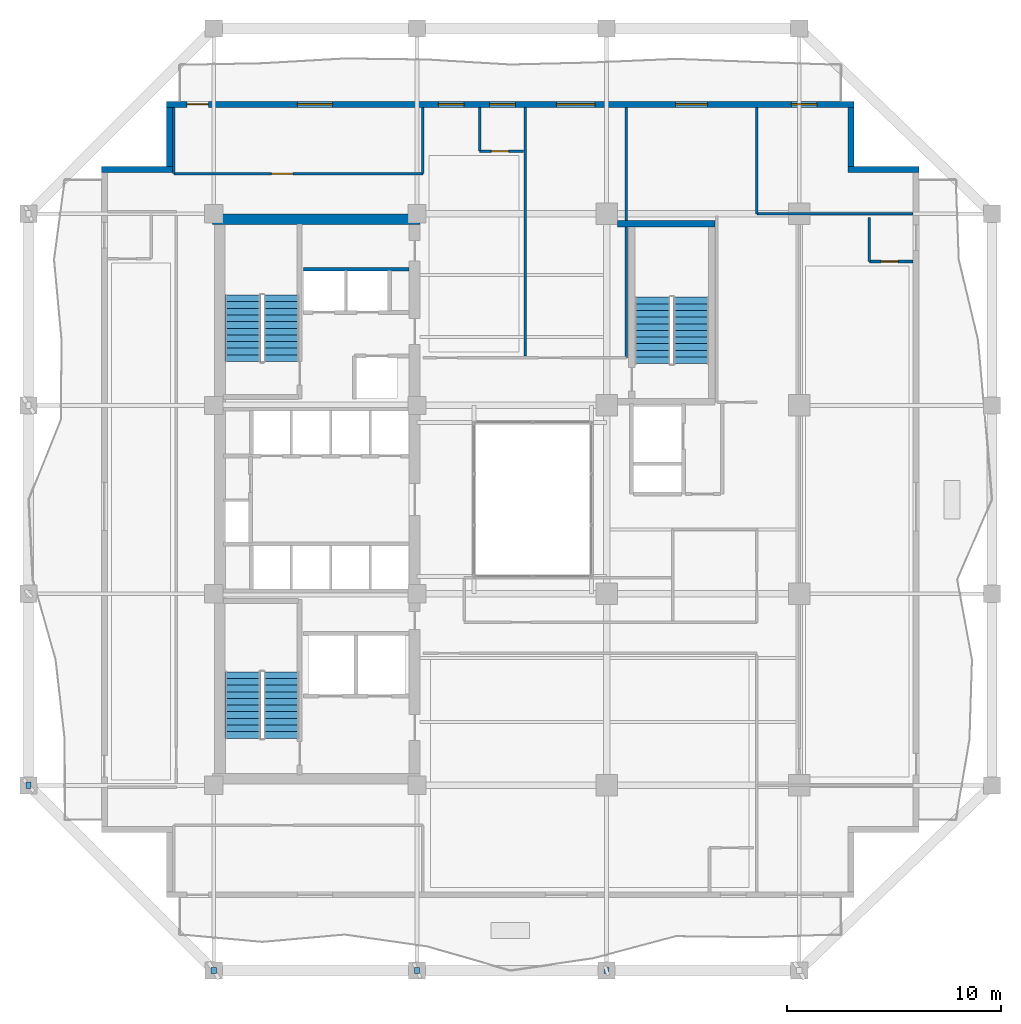
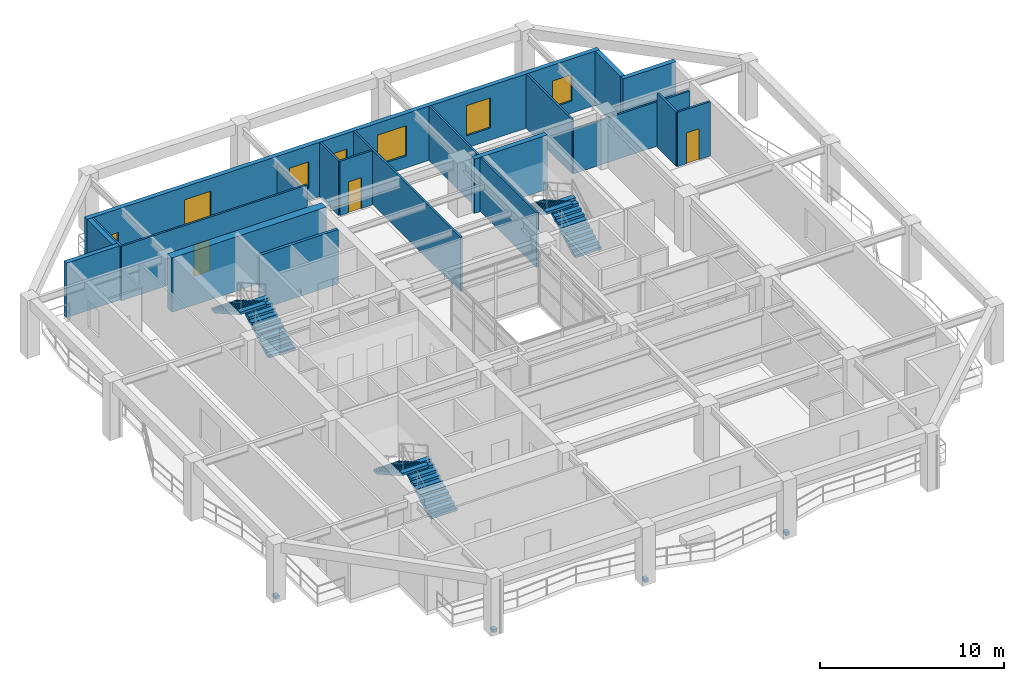
# One storey, part 9 of 14: 19 walls, 6 stair flights, 6 windows, 4 discrete accessories, 4 doors, 10 openings, 3 elements without a shape of their own.
"""IFC4 building model written with IfcOpenShell, lengths in metres."""

from ifc_helpers import new_model, si_unit, direction, frame, frame_2d, origin, origin_2d, place, context, subcontext, project, spatial, polyline, rectangle, outline, extrude, material, layer, layer_set, type_object, element, fill, aggregate, save


model = new_model("IFC4")

# Units and contexts
model_context = context("Model", 3, precision=1e-05, world=origin(), true_north=direction((0.0, 1.0)))
body_context = subcontext(model_context, "Body", "Model", "MODEL_VIEW")
ifc_project = project(units=[si_unit("LENGTHUNIT", "METRE"), si_unit("AREAUNIT", "SQUARE_METRE"), si_unit("VOLUMEUNIT", "CUBIC_METRE"), si_unit("PLANEANGLEUNIT", "RADIAN"), si_unit("MASSUNIT", "GRAM", prefix="KILO")], contexts=[model_context])

# Site, building, storey
site_placement = place(None, origin())
site = spatial("IfcSite", under=ifc_project, at=site_placement, CompositionType="ELEMENT")
building_placement = place(site_placement, origin())
building = spatial("IfcBuilding", under=site, at=building_placement, Name="Kundavana Baori Tower", CompositionType="ELEMENT")
storey_placement = place(building_placement, frame((0.0, 0.0, 104.0)))
storey = spatial("IfcBuildingStorey", under=building, at=storey_placement, Name="L24", CompositionType="ELEMENT", Elevation=104.0)

# Walls
ifc_material_1 = material(Name="Concrete C50/60", Category="concrete")
ifc_layer_1 = layer(ifc_material_1, 0.5, Name="WL-CORE-500")
ifc_layer_set_1 = layer_set([ifc_layer_1], Name="Concrete C50/60")
wall_type_1 = type_object("IfcWallType", Name="WL-CORE-500", PredefinedType="SHEAR", material=ifc_layer_set_1)
wall_1_placement = place(storey_placement, frame((15.39990234375, 41.68994140625, 0.0), z_axis=(0.0, 0.0, 1.0), x_axis=(1.0, 0.0, 0.0)))
element("IfcWall", 1, at=wall_1_placement, inside=storey, type_object=wall_type_1, Name="L24 Offset Core North Shear Wall", PredefinedType="SHEAR", context=body_context, shape_type="SweptSolid", body=[
    extrude(rectangle(XDim=9.68017578125, YDim=0.5, at=frame_2d((4.840087890625, 0.0))), origin(), (0.0, 0.0, 1.0), 3.60009765625),
])
ifc_material_2 = material(Name="Red-Buff Dholpur Sandstone Cladding on Concrete C40/50", Category="masonry")
ifc_layer_2 = layer(ifc_material_2, 0.280029296875, Name="WL-EXT-SAND-280")
ifc_layer_set_2 = layer_set([ifc_layer_2], Name="Red-Buff Dholpur Sandstone Cladding on Concrete C40/50")
wall_type_2 = type_object("IfcWallType", Name="WL-EXT-SAND-280", PredefinedType="STANDARD", material=ifc_layer_set_2)
wall_2_placement = place(storey_placement, frame((48.39990234375, 44.010009765625, 0.0), z_axis=(0.0, 0.0, 1.0), x_axis=(-1.0, 0.0, 0.0)))
element("IfcWall", 2, at=wall_2_placement, inside=storey, type_object=wall_type_2, Name="L24 Exterior Insulated Facade Wall 05", PredefinedType="STANDARD", context=body_context, shape_type="SweptSolid", body=[
    extrude(rectangle(XDim=3.329833984375, YDim=0.280029296875, at=frame_2d((1.6650390625, 0.0))), origin(), (0.0, 0.0, 1.0), 3.60009765625),
])
wall_3_placement = place(storey_placement, frame((45.2099609375, 44.14990234375, 0.0), z_axis=(0.0, 0.0, 1.0), x_axis=(0.0, 1.0, 0.0)))
element("IfcWall", 3, at=wall_3_placement, inside=storey, type_object=wall_type_2, Name="L24 Exterior Insulated Facade Wall 06", PredefinedType="STANDARD", context=body_context, shape_type="SweptSolid", body=[
    extrude(rectangle(XDim=2.77001953125, YDim=0.280029296875, at=frame_2d((1.385009765625, 0.0))), origin(), (0.0, 0.0, 1.0), 3.60009765625),
])

# Wall, openings, door, windows
wall_4_placement = place(storey_placement, frame((45.35009765625, 47.06005859375, 0.0), z_axis=(0.0, 0.0, 1.0), x_axis=(-1.0, 0.0, 0.0)))
wall_4 = element("IfcWall", 4, at=wall_4_placement, inside=storey, type_object=wall_type_2, Name="L24 Exterior Insulated Facade Wall 07", PredefinedType="STANDARD", context=body_context, shape_type="SweptSolid", body=[
    extrude(rectangle(XDim=32.10009765625, YDim=0.280029296875, at=frame_2d((16.050048828125, 0.0))), origin(), (0.0, 0.0, 1.0), 3.60009765625),
])
opening_1_placement = place(wall_4_placement, frame((30.14990234375, 0.0, 0.0)))
opening_1 = element("IfcOpeningElement", 5, at=opening_1_placement, cuts=wall_4, Name="Opening BD-1", PredefinedType="OPENING", context=body_context, shape_type="SweptSolid", body=[
    extrude(rectangle(XDim=1.0, YDim=2.050048828125, at=frame_2d((0.5, 1.02490234375))), frame((0.0, 0.14990234375, 0.0), z_axis=(0.0, -1.0, 0.0), x_axis=(1.0, 0.0, 0.0)), (0.0, 0.0, 1.0), 0.300048828125),
])
opening_2_placement = place(wall_4_placement, frame((24.344970703125, 0.0, 0.800048828125)))
opening_2 = element("IfcOpeningElement", 6, at=opening_2_placement, cuts=wall_4, Name="Opening W-08", PredefinedType="OPENING", context=body_context, shape_type="SweptSolid", body=[
    extrude(rectangle(XDim=1.64990234375, YDim=1.949951171875, at=frame_2d((0.824951171875, 0.97509765625))), frame((0.0, 0.14990234375, 0.0), z_axis=(0.0, -1.0, 0.0), x_axis=(1.0, 0.0, 0.0)), (0.0, 0.0, 1.0), 0.300048828125),
])
opening_3_placement = place(wall_4_placement, frame((18.205078125, 0.0, 0.800048828125)))
opening_3 = element("IfcOpeningElement", 7, at=opening_3_placement, cuts=wall_4, Name="Opening W-03", PredefinedType="OPENING", context=body_context, shape_type="SweptSolid", body=[
    extrude(rectangle(XDim=1.199951171875, YDim=1.75, at=frame_2d((0.60009765625, 0.875))), frame((0.0, 0.14990234375, 0.0), z_axis=(0.0, -1.0, 0.0), x_axis=(1.0, 0.0, 0.0)), (0.0, 0.0, 1.0), 0.300048828125),
])
opening_4_placement = place(wall_4_placement, frame((15.81494140625, 0.0, 0.800048828125)))
opening_4 = element("IfcOpeningElement", 8, at=opening_4_placement, cuts=wall_4, Name="Opening W-03", PredefinedType="OPENING", context=body_context, shape_type="SweptSolid", body=[
    extrude(rectangle(XDim=1.199951171875, YDim=1.75, at=frame_2d((0.60009765625, 0.875))), frame((0.0, 0.14990234375, 0.0), z_axis=(0.0, -1.0, 0.0), x_axis=(1.0, 0.0, 0.0)), (0.0, 0.0, 1.0), 0.300048828125),
])
opening_5_placement = place(wall_4_placement, frame((12.090087890625, 0.0, 0.800048828125)))
opening_5 = element("IfcOpeningElement", 9, at=opening_5_placement, cuts=wall_4, Name="Opening W-01", PredefinedType="OPENING", context=body_context, shape_type="SweptSolid", body=[
    extrude(rectangle(XDim=1.800048828125, YDim=2.0, at=frame_2d((0.89990234375, 1.0))), frame((0.0, 0.14990234375, 0.0), z_axis=(0.0, -1.0, 0.0), x_axis=(1.0, 0.0, 0.0)), (0.0, 0.0, 1.0), 0.300048828125),
])
opening_6_placement = place(wall_4_placement, frame((6.830078125, 0.0, 0.800048828125)))
opening_6 = element("IfcOpeningElement", 10, at=opening_6_placement, cuts=wall_4, Name="Opening W-02", PredefinedType="OPENING", context=body_context, shape_type="SweptSolid", body=[
    extrude(rectangle(XDim=1.5, YDim=2.0, at=frame_2d((0.75, 1.0))), frame((0.0, 0.14990234375, 0.0), z_axis=(0.0, -1.0, 0.0), x_axis=(1.0, 0.0, 0.0)), (0.0, 0.0, 1.0), 0.300048828125),
])
opening_7_placement = place(wall_4_placement, frame((1.719970703125, 0.0, 0.800048828125)))
opening_7 = element("IfcOpeningElement", 11, at=opening_7_placement, cuts=wall_4, Name="Opening W-03", PredefinedType="OPENING", context=body_context, shape_type="SweptSolid", body=[
    extrude(rectangle(XDim=1.199951171875, YDim=1.75, at=frame_2d((0.60009765625, 0.875))), frame((0.0, 0.14990234375, 0.0), z_axis=(0.0, -1.0, 0.0), x_axis=(1.0, 0.0, 0.0)), (0.0, 0.0, 1.0), 0.300048828125),
])
ifc_material_3 = material(Name="Architectural Patinated Bronze Metalwork")
door_type_1 = type_object("IfcDoorType", Name="DR-EXT-LOG-1000", OperationType="NOTDEFINED", PredefinedType="DOOR", material=ifc_material_3)
door_1_placement = place(opening_1_placement, frame((1.0, 0.0, 0.0), z_axis=(0.0, 0.0, 1.0), x_axis=(-1.0, 0.0, 0.0)))
door_1 = element("IfcDoor", 12, at=door_1_placement, inside=storey, type_object=door_type_1, Name="L24 Loggia Balcony Access Door N", OperationType="SINGLE_SWING_LEFT", OverallHeight=2.050048828125, OverallWidth=1.0, PredefinedType="DOOR", context=body_context, shape_type="SweptSolid", body=[
    extrude(rectangle(XDim=1.0, YDim=2.050048828125, at=frame_2d((0.5, 1.02490234375))), frame((0.0, 0.02490234375, 0.0), z_axis=(0.0, -1.0, 0.0), x_axis=(1.0, 0.0, 0.0)), (0.0, 0.0, 1.0), 0.050048828125),
])
fill(opening_1, door_1)
ifc_material_4 = material(Name="Double-Glazed Solar-Control Low-E Insulated Glass", Category="glass")
window_type_1 = type_object("IfcWindowType", Name="WIN-LOG-1200x1750", PartitioningType="SINGLE_PANEL", PredefinedType="WINDOW", material=ifc_material_4)
window_1_placement = place(opening_3_placement, origin())
window_1 = element("IfcWindow", 13, at=window_1_placement, inside=storey, type_object=window_type_1, Name="L24 Recessed Loggia Window N-2", OverallHeight=1.75, OverallWidth=1.199951171875, PartitioningType="SINGLE_PANEL", PredefinedType="WINDOW", context=body_context, shape_type="SweptSolid", body=[
    extrude(rectangle(XDim=1.199951171875, YDim=1.75, at=frame_2d((0.60009765625, 0.875))), frame((0.0, 0.030029296875, 0.0), z_axis=(0.0, -1.0, 0.0), x_axis=(1.0, 0.0, 0.0)), (0.0, 0.0, 1.0), 0.06005859375),
])
fill(opening_3, window_1)
window_2_placement = place(opening_4_placement, origin())
window_2 = element("IfcWindow", 14, at=window_2_placement, inside=storey, type_object=window_type_1, Name="L24 Recessed Loggia Window N-3", OverallHeight=1.75, OverallWidth=1.199951171875, PartitioningType="SINGLE_PANEL", PredefinedType="WINDOW", context=body_context, shape_type="SweptSolid", body=[
    extrude(rectangle(XDim=1.199951171875, YDim=1.75, at=frame_2d((0.60009765625, 0.875))), frame((0.0, 0.030029296875, 0.0), z_axis=(0.0, -1.0, 0.0), x_axis=(1.0, 0.0, 0.0)), (0.0, 0.0, 1.0), 0.06005859375),
])
fill(opening_4, window_2)
window_3_placement = place(opening_7_placement, origin())
window_3 = element("IfcWindow", 15, at=window_3_placement, inside=storey, type_object=window_type_1, Name="L24 Recessed Loggia Window N-6", OverallHeight=1.75, OverallWidth=1.199951171875, PartitioningType="SINGLE_PANEL", PredefinedType="WINDOW", context=body_context, shape_type="SweptSolid", body=[
    extrude(rectangle(XDim=1.199951171875, YDim=1.75, at=frame_2d((0.60009765625, 0.875))), frame((0.0, 0.030029296875, 0.0), z_axis=(0.0, -1.0, 0.0), x_axis=(1.0, 0.0, 0.0)), (0.0, 0.0, 1.0), 0.06005859375),
])
fill(opening_7, window_3)
ifc_material_5 = material(Name="Double-Glazed Solar-Control Low-E Insulated Glass", Category="glass")
window_type_2 = type_object("IfcWindowType", Name="WIN-LOG-1500x2000", PartitioningType="SINGLE_PANEL", PredefinedType="WINDOW", material=ifc_material_5)
window_4_placement = place(opening_6_placement, origin())
window_4 = element("IfcWindow", 16, at=window_4_placement, inside=storey, type_object=window_type_2, Name="L24 Recessed Loggia Window N-5", OverallHeight=2.0, OverallWidth=1.5, PartitioningType="SINGLE_PANEL", PredefinedType="WINDOW", context=body_context, shape_type="SweptSolid", body=[
    extrude(rectangle(XDim=1.5, YDim=2.0, at=frame_2d((0.75, 1.0))), frame((0.0, 0.030029296875, 0.0), z_axis=(0.0, -1.0, 0.0), x_axis=(1.0, 0.0, 0.0)), (0.0, 0.0, 1.0), 0.06005859375),
])
fill(opening_6, window_4)
ifc_material_6 = material(Name="Double-Glazed Solar-Control Low-E Insulated Glass", Category="glass")
window_type_3 = type_object("IfcWindowType", Name="WIN-LOG-1650x1950", PartitioningType="SINGLE_PANEL", PredefinedType="WINDOW", material=ifc_material_6)
window_5_placement = place(opening_2_placement, origin())
window_5 = element("IfcWindow", 17, at=window_5_placement, inside=storey, type_object=window_type_3, Name="L24 Recessed Loggia Window N-1", OverallHeight=1.949951171875, OverallWidth=1.64990234375, PartitioningType="SINGLE_PANEL", PredefinedType="WINDOW", context=body_context, shape_type="SweptSolid", body=[
    extrude(rectangle(XDim=1.64990234375, YDim=1.949951171875, at=frame_2d((0.824951171875, 0.97509765625))), frame((0.0, 0.030029296875, 0.0), z_axis=(0.0, -1.0, 0.0), x_axis=(1.0, 0.0, 0.0)), (0.0, 0.0, 1.0), 0.06005859375),
])
fill(opening_2, window_5)
ifc_material_7 = material(Name="Double-Glazed Solar-Control Low-E Insulated Glass", Category="glass")
window_type_4 = type_object("IfcWindowType", Name="WIN-LOG-1800x2000", PartitioningType="SINGLE_PANEL", PredefinedType="WINDOW", material=ifc_material_7)
window_6_placement = place(opening_5_placement, origin())
window_6 = element("IfcWindow", 18, at=window_6_placement, inside=storey, type_object=window_type_4, Name="L24 Recessed Loggia Window N-4", OverallHeight=2.0, OverallWidth=1.800048828125, PartitioningType="SINGLE_PANEL", PredefinedType="WINDOW", context=body_context, shape_type="SweptSolid", body=[
    extrude(rectangle(XDim=1.800048828125, YDim=2.0, at=frame_2d((0.89990234375, 1.0))), frame((0.0, 0.030029296875, 0.0), z_axis=(0.0, -1.0, 0.0), x_axis=(1.0, 0.0, 0.0)), (0.0, 0.0, 1.0), 0.06005859375),
])
fill(opening_5, window_6)

# Walls
wall_5_placement = place(storey_placement, frame((13.389892578125, 46.919921875, 0.0), z_axis=(0.0, 0.0, 1.0), x_axis=(0.0, -1.0, 0.0)))
element("IfcWall", 19, at=wall_5_placement, inside=storey, type_object=wall_type_2, Name="L24 Exterior Insulated Facade Wall 08", PredefinedType="STANDARD", context=body_context, shape_type="SweptSolid", body=[
    extrude(rectangle(XDim=2.77001953125, YDim=0.280029296875, at=frame_2d((1.385009765625, 0.0))), origin(), (0.0, 0.0, 1.0), 3.60009765625),
])
wall_6_placement = place(storey_placement, frame((13.530029296875, 44.010009765625, 0.0), z_axis=(0.0, 0.0, 1.0), x_axis=(-1.0, 0.0, 0.0)))
element("IfcWall", 20, at=wall_6_placement, inside=storey, type_object=wall_type_2, Name="L24 Exterior Insulated Facade Wall 09", PredefinedType="STANDARD", context=body_context, shape_type="SweptSolid", body=[
    extrude(rectangle(XDim=3.330078125, YDim=0.280029296875, at=frame_2d((1.6650390625, 0.0))), origin(), (0.0, 0.0, 1.0), 3.60009765625),
])
ifc_material_8 = material(Name="Acoustic Gypsum Plasterboard on Galvanised Steel Studs", Category="steel")
ifc_layer_3 = layer(ifc_material_8, 0.1201171875, Name="WL-PART-120")
ifc_layer_set_3 = layer_set([ifc_layer_3], Name="Acoustic Gypsum Plasterboard on Galvanised Steel Studs")
wall_type_3 = type_object("IfcWallType", Name="WL-PART-120", PredefinedType="PARTITIONING", material=ifc_layer_set_3)
wall_7_placement = place(storey_placement, frame((40.820068359375, 41.949951171875, 0.0), z_axis=(0.0, 0.0, 1.0), x_axis=(1.0, 0.0, 0.0)))
element("IfcWall", 21, at=wall_7_placement, inside=storey, type_object=wall_type_3, Name="WL-L24-HEN", PredefinedType="PARTITIONING", context=body_context, shape_type="SweptSolid", body=[
    extrude(rectangle(XDim=7.300048828125, YDim=0.1201171875, at=frame_2d((3.64990234375, 0.0))), origin(), (0.0, 0.0, 1.0), 2.949951171875),
])

# Wall, opening, door
wall_8_placement = place(storey_placement, frame((13.590087890625, 43.820068359375, 0.0), z_axis=(0.0, 0.0, 1.0), x_axis=(1.0, 0.0, 0.0)))
wall_8 = element("IfcWall", 22, at=wall_8_placement, inside=storey, type_object=wall_type_3, Name="WL-L24-HNC", PredefinedType="PARTITIONING", context=body_context, shape_type="SweptSolid", body=[
    extrude(rectangle(XDim=11.6298828125, YDim=0.1201171875, at=frame_2d((5.81494140625, 0.0))), origin(), (0.0, 0.0, 1.0), 3.60009765625),
])
opening_8_placement = place(wall_8_placement, frame((4.56005859375, 0.0, 0.0)))
opening_8 = element("IfcOpeningElement", 23, at=opening_8_placement, cuts=wall_8, Name="Opening ID-100", PredefinedType="OPENING", context=body_context, shape_type="SweptSolid", body=[
    extrude(rectangle(XDim=1.0, YDim=2.080078125, at=frame_2d((0.5, 1.0400390625))), frame((0.0, 0.070068359375, 0.0), z_axis=(0.0, -1.0, 0.0), x_axis=(1.0, 0.0, 0.0)), (0.0, 0.0, 1.0), 0.14013671875),
])
ifc_material_9 = material(Name="Engineered Teak Solid-Core Timber Veneer", Category="wood")
door_type_2 = type_object("IfcDoorType", Name="DR-INT-1000", OperationType="NOTDEFINED", PredefinedType="DOOR", material=ifc_material_9)
door_2_placement = place(opening_8_placement, origin())
door_2 = element("IfcDoor", 24, at=door_2_placement, inside=storey, type_object=door_type_2, Name="DR-L24-HMNW", OperationType="SINGLE_SWING_RIGHT", OverallHeight=2.080078125, OverallWidth=1.0, PredefinedType="DOOR", context=body_context, shape_type="SweptSolid", body=[
    extrude(rectangle(XDim=1.0, YDim=2.080078125, at=frame_2d((0.5, 1.0400390625))), frame((0.0, 0.02490234375, 0.0), z_axis=(0.0, -1.0, 0.0), x_axis=(1.0, 0.0, 0.0)), (0.0, 0.0, 1.0), 0.050048828125),
])
fill(opening_8, door_2)

# Walls
wall_9_placement = place(storey_placement, frame((13.590087890625, 43.820068359375, 0.0), z_axis=(0.0, 0.0, 1.0), x_axis=(0.0, 1.0, 0.0)))
element("IfcWall", 25, at=wall_9_placement, inside=storey, type_object=wall_type_3, Name="WL-L24-HNCW", PredefinedType="PARTITIONING", context=body_context, shape_type="SweptSolid", body=[
    extrude(rectangle(XDim=3.099853515625, YDim=0.1201171875, at=frame_2d((1.5498046875, 0.0))), origin(), (0.0, 0.0, 1.0), 3.60009765625),
])
wall_10_placement = place(storey_placement, frame((25.219970703125, 43.820068359375, 0.0), z_axis=(0.0, 0.0, 1.0), x_axis=(0.0, 1.0, 0.0)))
element("IfcWall", 26, at=wall_10_placement, inside=storey, type_object=wall_type_3, Name="WL-L24-HNCE", PredefinedType="PARTITIONING", context=body_context, shape_type="SweptSolid", body=[
    extrude(rectangle(XDim=3.099853515625, YDim=0.1201171875, at=frame_2d((1.5498046875, 0.0))), origin(), (0.0, 0.0, 1.0), 3.10009765625),
])
wall_11_placement = place(storey_placement, frame((34.719970703125, 35.219970703125, 0.0), z_axis=(0.0, 0.0, 1.0), x_axis=(0.0, 1.0, 0.0)))
element("IfcWall", 27, at=wall_11_placement, inside=storey, type_object=wall_type_3, Name="WL-L24-HNEND", PredefinedType="PARTITIONING", context=body_context, shape_type="SweptSolid", body=[
    extrude(rectangle(XDim=11.699951171875, YDim=0.1201171875, at=frame_2d((5.85009765625, 0.0))), origin(), (0.0, 0.0, 1.0), 3.60009765625),
])
wall_12_placement = place(storey_placement, frame((30.0, 35.300048828125, 0.0), z_axis=(0.0, 0.0, 1.0), x_axis=(0.0, 1.0, 0.0)))
element("IfcWall", 28, at=wall_12_placement, inside=storey, type_object=wall_type_3, Name="WL-L24-HND1", PredefinedType="PARTITIONING", context=body_context, shape_type="SweptSolid", body=[
    extrude(rectangle(XDim=11.619873046875, YDim=0.1201171875, at=frame_2d((5.81005859375, 0.0))), origin(), (0.0, 0.0, 1.0), 3.60009765625),
])
wall_13_placement = place(storey_placement, frame((40.820068359375, 41.949951171875, 0.0), z_axis=(0.0, 0.0, 1.0), x_axis=(0.0, 1.0, 0.0)))
element("IfcWall", 29, at=wall_13_placement, inside=storey, type_object=wall_type_3, Name="WL-L24-HNEE", PredefinedType="PARTITIONING", context=body_context, shape_type="SweptSolid", body=[
    extrude(rectangle(XDim=4.969970703125, YDim=0.1201171875, at=frame_2d((2.48486328125, 0.0))), origin(), (0.0, 0.0, 1.0), 3.60009765625),
])
ifc_material_10 = material(Name="Autoclaved Aerated Concrete Blockwork Masonry", Category="masonry")
ifc_layer_4 = layer(ifc_material_10, 0.179931640625, Name="WL-SHAFT-180")
ifc_layer_set_4 = layer_set([ifc_layer_4], Name="Autoclaved Aerated Concrete Blockwork Masonry")
wall_type_4 = type_object("IfcWallType", Name="WL-SHAFT-180", PredefinedType="SOLIDWALL", material=ifc_layer_set_4)
wall_14_placement = place(storey_placement, frame((19.639892578125, 39.360107421875, 0.0), z_axis=(0.0, 0.0, 1.0), x_axis=(1.0, 0.0, 0.0)))
element("IfcWall", 30, at=wall_14_placement, inside=storey, type_object=wall_type_4, Name="WL-L24-HRLOB-TOP", PredefinedType="SOLIDWALL", context=body_context, shape_type="SweptSolid", body=[
    extrude(rectangle(XDim=4.940185546875, YDim=0.179931640625, at=frame_2d((2.47021484375, 0.0))), origin(), (0.0, 0.0, 1.0), 3.60009765625),
])
ifc_material_11 = material(Name="Concrete C50/60", Category="concrete")
ifc_layer_5 = layer(ifc_material_11, 0.300048828125, Name="WL-ST3-300")
ifc_layer_set_5 = layer_set([ifc_layer_5], Name="Concrete C50/60")
wall_type_5 = type_object("IfcWallType", Name="WL-ST3-300", PredefinedType="SHEAR", material=ifc_layer_set_5)
wall_15_placement = place(storey_placement, frame((34.300048828125, 41.489990234375, 0.0), z_axis=(0.0, 0.0, 1.0), x_axis=(1.0, 0.0, 0.0)))
element("IfcWall", 31, at=wall_15_placement, inside=storey, type_object=wall_type_5, Name="L24 Stair ST3 North Shear Wall", PredefinedType="SHEAR", context=body_context, shape_type="SweptSolid", body=[
    extrude(rectangle(XDim=4.570068359375, YDim=0.300048828125, at=frame_2d((2.28515625, 0.0))), origin(), (0.0, 0.0, 1.0), 3.60009765625),
])
ifc_material_12 = material(Name="Autoclaved Aerated Concrete Blockwork Masonry", Category="masonry")
ifc_layer_6 = layer(ifc_material_12, 0.125, Name="WL-WET-120")
ifc_layer_set_6 = layer_set([ifc_layer_6], Name="Autoclaved Aerated Concrete Blockwork Masonry")
wall_type_6 = type_object("IfcWallType", Name="WL-WET-120", PredefinedType="PLUMBINGWALL", material=ifc_layer_set_6)
wall_16_placement = place(storey_placement, frame((46.070068359375, 39.719970703125, 0.0), z_axis=(0.0, 0.0, 1.0), x_axis=(0.0, 1.0, 0.0)))
element("IfcWall", 32, at=wall_16_placement, inside=storey, type_object=wall_type_6, Name="WL-L24-HK-E1-BW", PredefinedType="PLUMBINGWALL", context=body_context, shape_type="SweptSolid", body=[
    extrude(rectangle(XDim=2.050048828125, YDim=0.125, at=frame_2d((1.02490234375, 0.0))), origin(), (0.0, 0.0, 1.0), 3.60009765625),
])

# Wall, opening, door
wall_17_placement = place(storey_placement, frame((46.070068359375, 39.719970703125, 0.0), z_axis=(0.0, 0.0, 1.0), x_axis=(1.0, 0.0, 0.0)))
wall_17 = element("IfcWall", 33, at=wall_17_placement, inside=storey, type_object=wall_type_6, Name="WL-L24-HK-E1-BS", PredefinedType="PLUMBINGWALL", context=body_context, shape_type="SweptSolid", body=[
    extrude(rectangle(XDim=2.050048828125, YDim=0.125, at=frame_2d((1.02490234375, 0.0))), origin(), (0.0, 0.0, 1.0), 3.60009765625),
])
opening_9_placement = place(wall_17_placement, frame((0.550048828125, 0.0, 0.0)))
opening_9 = element("IfcOpeningElement", 34, at=opening_9_placement, cuts=wall_17, Name="Opening WD-080", PredefinedType="OPENING", context=body_context, shape_type="SweptSolid", body=[
    extrude(rectangle(XDim=0.800048828125, YDim=2.050048828125, at=frame_2d((0.39990234375, 1.02490234375))), frame((0.0, 0.072509765625, 0.0), z_axis=(0.0, -1.0, 0.0), x_axis=(1.0, 0.0, 0.0)), (0.0, 0.0, 1.0), 0.14501953125),
])
ifc_material_13 = material(Name="Engineered Teak Solid-Core Timber Veneer", Category="wood")
door_type_3 = type_object("IfcDoorType", Name="DR-WET-800", OperationType="NOTDEFINED", PredefinedType="DOOR", material=ifc_material_13)
door_3_placement = place(opening_9_placement, frame((0.800048828125, 0.0, 0.0), z_axis=(0.0, 0.0, 1.0), x_axis=(-1.0, 0.0, 0.0)))
door_3 = element("IfcDoor", 35, at=door_3_placement, inside=storey, type_object=door_type_3, Name="DR-L24-HK-E1-ENS", OperationType="SINGLE_SWING_LEFT", OverallHeight=2.050048828125, OverallWidth=0.800048828125, PredefinedType="DOOR", context=body_context, shape_type="SweptSolid", body=[
    extrude(rectangle(XDim=0.800048828125, YDim=2.050048828125, at=frame_2d((0.39990234375, 1.02490234375))), frame((0.0, 0.02490234375, 0.0), z_axis=(0.0, -1.0, 0.0), x_axis=(1.0, 0.0, 0.0)), (0.0, 0.0, 1.0), 0.050048828125),
])
fill(opening_9, door_3)

# Wall
wall_18_placement = place(storey_placement, frame((27.8701171875, 44.8701171875, 0.0), z_axis=(0.0, 0.0, 1.0), x_axis=(0.0, 1.0, 0.0)))
element("IfcWall", 36, at=wall_18_placement, inside=storey, type_object=wall_type_6, Name="WL-L24-HK-N1-BW", PredefinedType="PLUMBINGWALL", context=body_context, shape_type="SweptSolid", body=[
    extrude(rectangle(XDim=2.0498046875, YDim=0.125, at=frame_2d((1.02490234375, 0.0))), origin(), (0.0, 0.0, 1.0), 3.60009765625),
])

# Wall, opening, door
wall_19_placement = place(storey_placement, frame((27.8701171875, 44.8701171875, 0.0), z_axis=(0.0, 0.0, 1.0), x_axis=(1.0, 0.0, 0.0)))
wall_19 = element("IfcWall", 37, at=wall_19_placement, inside=storey, type_object=wall_type_6, Name="WL-L24-HK-N1-BS", PredefinedType="PLUMBINGWALL", context=body_context, shape_type="SweptSolid", body=[
    extrude(rectangle(XDim=2.0498046875, YDim=0.125, at=frame_2d((1.02490234375, 0.0))), origin(), (0.0, 0.0, 1.0), 3.60009765625),
])
opening_10_placement = place(wall_19_placement, frame((0.550048828125, 0.0, 0.0)))
opening_10 = element("IfcOpeningElement", 38, at=opening_10_placement, cuts=wall_19, Name="Opening WD-080", PredefinedType="OPENING", context=body_context, shape_type="SweptSolid", body=[
    extrude(rectangle(XDim=0.800048828125, YDim=2.050048828125, at=frame_2d((0.39990234375, 1.02490234375))), frame((0.0, 0.072509765625, 0.0), z_axis=(0.0, -1.0, 0.0), x_axis=(1.0, 0.0, 0.0)), (0.0, 0.0, 1.0), 0.14501953125),
])
door_4_placement = place(opening_10_placement, frame((0.800048828125, 0.0, 0.0), z_axis=(0.0, 0.0, 1.0), x_axis=(-1.0, 0.0, 0.0)))
door_4 = element("IfcDoor", 39, at=door_4_placement, inside=storey, type_object=door_type_3, Name="DR-L24-HK-N1-ENS", OperationType="SINGLE_SWING_LEFT", OverallHeight=2.050048828125, OverallWidth=0.800048828125, PredefinedType="DOOR", context=body_context, shape_type="SweptSolid", body=[
    extrude(rectangle(XDim=0.800048828125, YDim=2.050048828125, at=frame_2d((0.39990234375, 1.02490234375))), frame((0.0, 0.02490234375, 0.0), z_axis=(0.0, -1.0, 0.0), x_axis=(1.0, 0.0, 0.0)), (0.0, 0.0, 1.0), 0.050048828125),
])
fill(opening_10, door_4)

# Stair, stair flights
ifc_material_14 = material(Name="Concrete C40/50", Category="concrete")
stair_type = type_object("IfcStairType", Name="STR-DOG-1650", PredefinedType="HALF_TURN_STAIR", material=ifc_material_14)
stair_1_placement = place(storey_placement, origin())
stair_1 = element("IfcStair", 40, at=stair_1_placement, inside=storey, type_object=stair_type, Name="L24 Protected Exit Stair ST1", PredefinedType="HALF_TURN_STAIR")
ifc_material_15 = material(Name="Concrete C40/50", Category="concrete")
stair_flight_type = type_object("IfcStairFlightType", Name="SFL-RC-1650", PredefinedType="STRAIGHT", material=ifc_material_15)
stair_flight_1_placement = place(storey_placement, frame((18.614990234375, 17.449951171875, 0.0), z_axis=(0.0, 0.0, 1.0), x_axis=(0.0, 1.0, 0.0)))
stair_flight_1 = element("IfcStairFlight", 41, at=stair_flight_1_placement, type_object=stair_flight_type, Name="ST1 flight 1", NumberOfRisers=11, NumberOfTreads=10, PredefinedType="STRAIGHT", RiserHeight=0.175, TreadLength=0.31, context=body_context, shape_type="SweptSolid", body=[
    extrude(outline(polyline([(0.0, 0.0), (0.0, 0.175048828125), (0.31005859375, 0.175048828125), (0.31005859375, 0.35009765625), (0.6201171875, 0.35009765625), (0.6201171875, 0.52490234375), (0.929931640625, 0.52490234375), (0.929931640625, 0.699951171875), (1.239990234375, 0.699951171875), (1.239990234375, 0.875), (1.550048828125, 0.875), (1.550048828125, 1.050048828125), (1.860107421875, 1.050048828125), (1.860107421875, 1.22509765625), (2.169921875, 1.22509765625), (2.169921875, 1.39990234375), (2.47998046875, 1.39990234375), (2.47998046875, 1.574951171875), (2.7900390625, 1.574951171875), (2.7900390625, 1.75), (3.10009765625, 1.75), (3.10009765625, 1.925048828125), (3.10009765625, 1.577880859375), (0.304931640625, 0.0), (0.0, 0.0)])), frame((0.0, 0.824951171875, 0.0), z_axis=(0.0, -1.0, 0.0), x_axis=(1.0, 0.0, 0.0)), (0.0, 0.0, 1.0), 1.64990234375),
])
stair_flight_2_placement = place(storey_placement, frame((16.804931640625, 20.550048828125, 1.925048828125), z_axis=(0.0, 0.0, 1.0), x_axis=(0.0, -1.0, 0.0)))
stair_flight_2 = element("IfcStairFlight", 42, at=stair_flight_2_placement, type_object=stair_flight_type, Name="ST1 flight 2", NumberOfRisers=11, NumberOfTreads=10, PredefinedType="STRAIGHT", RiserHeight=0.175, TreadLength=0.31, context=body_context, shape_type="SweptSolid", body=[
    extrude(outline(polyline([(0.0, 0.0), (0.0, 0.175048828125), (0.31005859375, 0.175048828125), (0.31005859375, 0.35009765625), (0.6201171875, 0.35009765625), (0.6201171875, 0.52490234375), (0.929931640625, 0.52490234375), (0.929931640625, 0.699951171875), (1.239990234375, 0.699951171875), (1.239990234375, 0.875), (1.550048828125, 0.875), (1.550048828125, 1.050048828125), (1.860107421875, 1.050048828125), (1.860107421875, 1.22509765625), (2.169921875, 1.22509765625), (2.169921875, 1.39990234375), (2.47998046875, 1.39990234375), (2.47998046875, 1.574951171875), (2.7900390625, 1.574951171875), (2.7900390625, 1.75), (3.10009765625, 1.75), (3.10009765625, 1.925048828125), (3.10009765625, 1.577880859375), (0.304931640625, 0.0), (0.0, 0.0)])), frame((0.0, 0.824951171875, 0.0), z_axis=(0.0, -1.0, 0.0), x_axis=(1.0, 0.0, 0.0)), (0.0, 0.0, 1.0), 1.64990234375),
])
aggregate(stair_1, [stair_flight_1, stair_flight_2])

stair_2_placement = place(storey_placement, origin())
stair_2 = element("IfcStair", 43, at=stair_2_placement, inside=storey, type_object=stair_type, Name="L24 Protected Exit Stair ST2", PredefinedType="HALF_TURN_STAIR")
stair_flight_3_placement = place(storey_placement, frame((18.614990234375, 35.050048828125, 0.0), z_axis=(0.0, 0.0, 1.0), x_axis=(0.0, 1.0, 0.0)))
stair_flight_3 = element("IfcStairFlight", 44, at=stair_flight_3_placement, type_object=stair_flight_type, Name="ST2 flight 1", NumberOfRisers=11, NumberOfTreads=10, PredefinedType="STRAIGHT", RiserHeight=0.175, TreadLength=0.31, context=body_context, shape_type="SweptSolid", body=[
    extrude(outline(polyline([(0.0, 0.0), (0.0, 0.175048828125), (0.31005859375, 0.175048828125), (0.31005859375, 0.35009765625), (0.6201171875, 0.35009765625), (0.6201171875, 0.52490234375), (0.929931640625, 0.52490234375), (0.929931640625, 0.699951171875), (1.239990234375, 0.699951171875), (1.239990234375, 0.875), (1.550048828125, 0.875), (1.550048828125, 1.050048828125), (1.860107421875, 1.050048828125), (1.860107421875, 1.22509765625), (2.169921875, 1.22509765625), (2.169921875, 1.39990234375), (2.47998046875, 1.39990234375), (2.47998046875, 1.574951171875), (2.7900390625, 1.574951171875), (2.7900390625, 1.75), (3.10009765625, 1.75), (3.10009765625, 1.925048828125), (3.10009765625, 1.577880859375), (0.304931640625, 0.0), (0.0, 0.0)])), frame((0.0, 0.824951171875, 0.0), z_axis=(0.0, -1.0, 0.0), x_axis=(1.0, 0.0, 0.0)), (0.0, 0.0, 1.0), 1.64990234375),
])
stair_flight_4_placement = place(storey_placement, frame((16.804931640625, 38.14990234375, 1.925048828125), z_axis=(0.0, 0.0, 1.0), x_axis=(0.0, -1.0, 0.0)))
stair_flight_4 = element("IfcStairFlight", 45, at=stair_flight_4_placement, type_object=stair_flight_type, Name="ST2 flight 2", NumberOfRisers=11, NumberOfTreads=10, PredefinedType="STRAIGHT", RiserHeight=0.175, TreadLength=0.31, context=body_context, shape_type="SweptSolid", body=[
    extrude(outline(polyline([(0.0, 0.0), (0.0, 0.175048828125), (0.31005859375, 0.175048828125), (0.31005859375, 0.35009765625), (0.6201171875, 0.35009765625), (0.6201171875, 0.52490234375), (0.929931640625, 0.52490234375), (0.929931640625, 0.699951171875), (1.239990234375, 0.699951171875), (1.239990234375, 0.875), (1.550048828125, 0.875), (1.550048828125, 1.050048828125), (1.860107421875, 1.050048828125), (1.860107421875, 1.22509765625), (2.169921875, 1.22509765625), (2.169921875, 1.39990234375), (2.47998046875, 1.39990234375), (2.47998046875, 1.574951171875), (2.7900390625, 1.574951171875), (2.7900390625, 1.75), (3.10009765625, 1.75), (3.10009765625, 1.925048828125), (3.10009765625, 1.577880859375), (0.304931640625, 0.0), (0.0, 0.0)])), frame((0.0, 0.824951171875, 0.0), z_axis=(0.0, -1.0, 0.0), x_axis=(1.0, 0.0, 0.0)), (0.0, 0.0, 1.0), 1.64990234375),
])
aggregate(stair_2, [stair_flight_3, stair_flight_4])

stair_3_placement = place(storey_placement, origin())
stair_3 = element("IfcStair", 46, at=stair_3_placement, inside=storey, type_object=stair_type, Name="L24 Protected Exit Stair ST3", PredefinedType="HALF_TURN_STAIR")
stair_flight_5_placement = place(storey_placement, frame((37.7548828125, 34.949951171875, 0.0), z_axis=(0.0, 0.0, 1.0), x_axis=(0.0, 1.0, 0.0)))
stair_flight_5 = element("IfcStairFlight", 47, at=stair_flight_5_placement, type_object=stair_flight_type, Name="ST3 flight 1", NumberOfRisers=11, NumberOfTreads=10, PredefinedType="STRAIGHT", RiserHeight=0.175, TreadLength=0.31, context=body_context, shape_type="SweptSolid", body=[
    extrude(outline(polyline([(0.0, 0.0), (0.0, 0.175048828125), (0.31005859375, 0.175048828125), (0.31005859375, 0.35009765625), (0.6201171875, 0.35009765625), (0.6201171875, 0.52490234375), (0.929931640625, 0.52490234375), (0.929931640625, 0.699951171875), (1.239990234375, 0.699951171875), (1.239990234375, 0.875), (1.550048828125, 0.875), (1.550048828125, 1.050048828125), (1.860107421875, 1.050048828125), (1.860107421875, 1.22509765625), (2.169921875, 1.22509765625), (2.169921875, 1.39990234375), (2.47998046875, 1.39990234375), (2.47998046875, 1.574951171875), (2.7900390625, 1.574951171875), (2.7900390625, 1.75), (3.10009765625, 1.75), (3.10009765625, 1.925048828125), (3.10009765625, 1.577880859375), (0.304931640625, 0.0), (0.0, 0.0)])), frame((0.0, 0.824951171875, 0.0), z_axis=(0.0, -1.0, 0.0), x_axis=(1.0, 0.0, 0.0)), (0.0, 0.0, 1.0), 1.64990234375),
])
stair_flight_6_placement = place(storey_placement, frame((35.945068359375, 38.050048828125, 1.925048828125), z_axis=(0.0, 0.0, 1.0), x_axis=(0.0, -1.0, 0.0)))
stair_flight_6 = element("IfcStairFlight", 48, at=stair_flight_6_placement, type_object=stair_flight_type, Name="ST3 flight 2", NumberOfRisers=11, NumberOfTreads=10, PredefinedType="STRAIGHT", RiserHeight=0.175, TreadLength=0.31, context=body_context, shape_type="SweptSolid", body=[
    extrude(outline(polyline([(0.0, 0.0), (0.0, 0.175048828125), (0.31005859375, 0.175048828125), (0.31005859375, 0.35009765625), (0.6201171875, 0.35009765625), (0.6201171875, 0.52490234375), (0.929931640625, 0.52490234375), (0.929931640625, 0.699951171875), (1.239990234375, 0.699951171875), (1.239990234375, 0.875), (1.550048828125, 0.875), (1.550048828125, 1.050048828125), (1.860107421875, 1.050048828125), (1.860107421875, 1.22509765625), (2.169921875, 1.22509765625), (2.169921875, 1.39990234375), (2.47998046875, 1.39990234375), (2.47998046875, 1.574951171875), (2.7900390625, 1.574951171875), (2.7900390625, 1.75), (3.10009765625, 1.75), (3.10009765625, 1.925048828125), (3.10009765625, 1.577880859375), (0.304931640625, 0.0), (0.0, 0.0)])), frame((0.0, 0.824951171875, 0.0), z_axis=(0.0, -1.0, 0.0), x_axis=(1.0, 0.0, 0.0)), (0.0, 0.0, 1.0), 1.64990234375),
])
aggregate(stair_3, [stair_flight_5, stair_flight_6])

# Discrete accessories
ifc_material_16 = material(Name="Structural Steel S355JR", Category="steel")
discrete_accessory_type = type_object("IfcDiscreteAccessoryType", Name="ACC-BRK-FIN", PredefinedType="BRACKET", material=ifc_material_16)
for number, where, z_axis, x_axis, name in (
    (49, (15.449951171875, 6.60009765625, 0.0), (0.0, 0.0, 1.0), (1.0, 0.0, 0.0), "L24 Stainless Fin Anchor Bracket 1"),
    (50, (24.949951171875, 6.60009765625, 0.0), (0.0, 0.0, 1.0), (1.0, 0.0, 0.0), "L24 Stainless Fin Anchor Bracket 2"),
    (51, (33.800048828125, 6.60009765625, 0.0), (0.0, 0.0, 1.0), (1.0, 0.0, 0.0), "L24 Stainless Fin Anchor Bracket 3"),
    (52, (6.800048828125, 15.25, 0.0), (0.0, 0.0, 1.0), (1.0, 0.0, 0.0), "L24 Stainless Fin Anchor Bracket 5"),
):
    element("IfcDiscreteAccessory", number, at=place(storey_placement, frame(where, z_axis=z_axis, x_axis=x_axis)), inside=storey, type_object=discrete_accessory_type, Name=name, PredefinedType="BRACKET", context=body_context, shape_type="SweptSolid", body=[
        extrude(rectangle(XDim=0.239990234375, YDim=0.300048828125, at=origin_2d()), origin(), (0.0, 0.0, 1.0), 0.219970703125),
    ])

save(model, "model.ifc")
